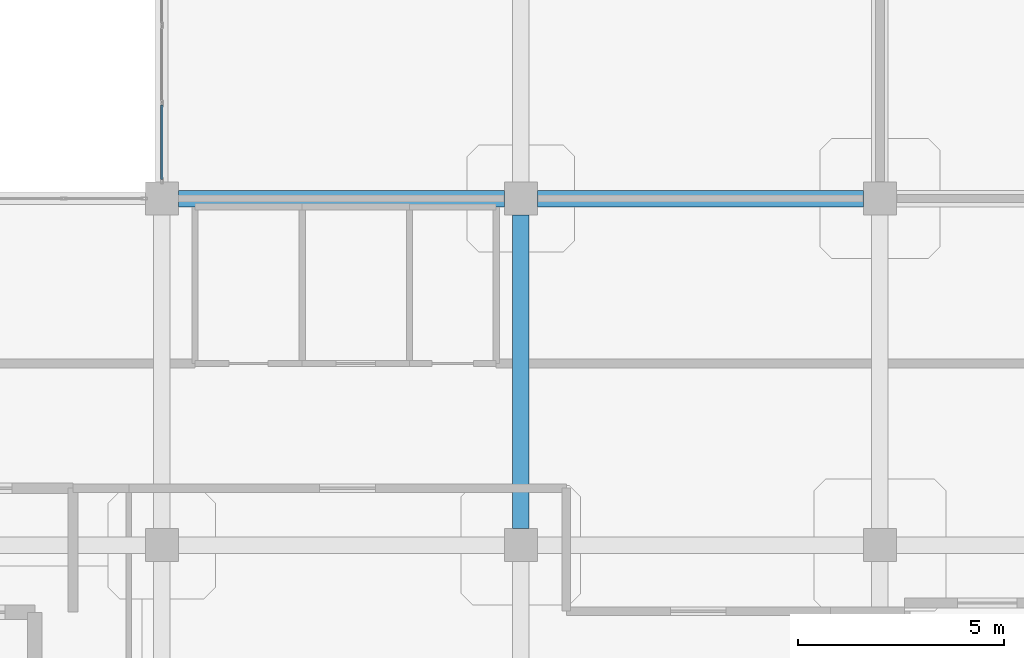
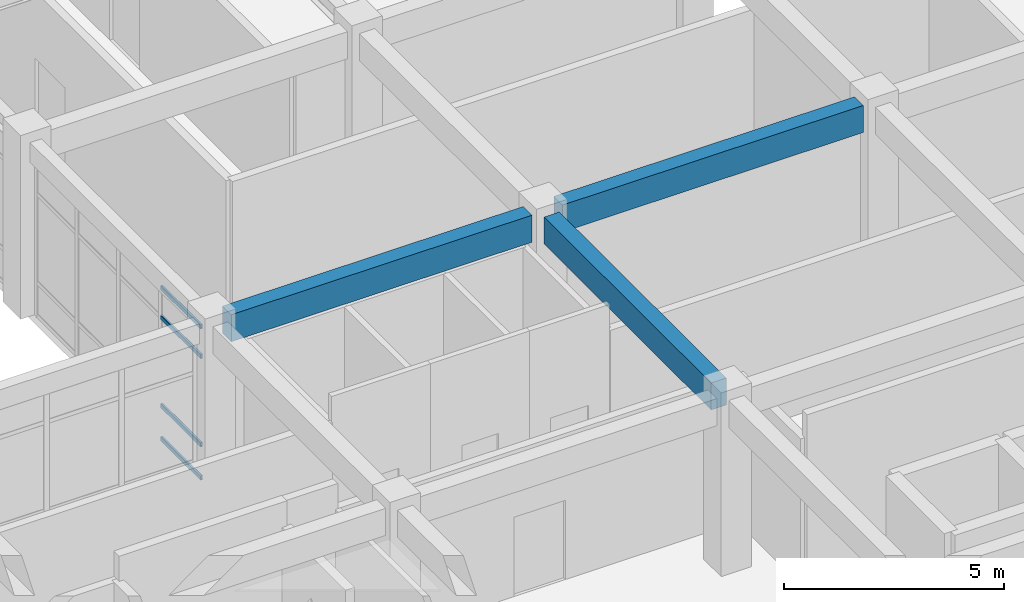
# One storey, part 21 of 96: 4 members, 3 beams, 1 element without a shape of its own.
"""IFC4 building model written with IfcOpenShell, lengths in metres."""

from ifc_helpers import new_model, si_unit, derived_unit, direction, frame, origin, origin_2d, place, context, subcontext, project, spatial, rectangle, hollow_rectangle, extrude, material, layer, layer_set, material_profile, profile_set, type_object, element, aggregate, save


model = new_model("IFC4")

# Units and contexts
model_context = context("Model", 3, precision=1e-05, world=origin(), true_north=direction((0.0, 1.0)))
body_context = subcontext(model_context, "Body", "Model", "MODEL_VIEW")
ifc_project = project(units=[si_unit("LENGTHUNIT", "METRE"), si_unit("AREAUNIT", "SQUARE_METRE"), si_unit("VOLUMEUNIT", "CUBIC_METRE"), si_unit("PLANEANGLEUNIT", "RADIAN"), si_unit("MASSUNIT", "GRAM", prefix="KILO"), derived_unit("THERMALTRANSMITTANCEUNIT", [(si_unit("MASSUNIT", "GRAM", prefix="KILO"), 1), (si_unit("TIMEUNIT", "SECOND"), -3), (si_unit("THERMODYNAMICTEMPERATUREUNIT", "KELVIN"), -1)])], contexts=[model_context])

# Site, building, storey
site_placement = place(None, origin())
site = spatial("IfcSite", under=ifc_project, at=site_placement, CompositionType="ELEMENT")
building_placement = place(site_placement, origin())
building = spatial("IfcBuilding", under=site, at=building_placement, Name="Qinzheling Arcade Emporium", CompositionType="ELEMENT")
storey_placement = place(building_placement, frame((0.0, 0.0, 21.60009765625)))
storey = spatial("IfcBuildingStorey", under=building, at=storey_placement, Name="L05", CompositionType="ELEMENT", Elevation=21.60009765625)

# Curtain wall, members
ifc_material_1 = material(Name="Anodised aluminium and solar-control double glazing", Category="aluminium")
ifc_layer = layer(ifc_material_1, 0.159912109375, Name="Anodised aluminium and solar-control double glazing", Category="aluminium")
ifc_layer_set = layer_set([ifc_layer], Name="Anodised aluminium and solar-control double glazing")
curtain_wall_type = type_object("IfcCurtainWallType", Name="Atrium Clerestory Curtain Wall", PredefinedType="NOTDEFINED", material=ifc_layer_set)
curtain_wall_placement = place(storey_placement, origin())
curtain_wall = element("IfcCurtainWall", 1, at=curtain_wall_placement, inside=storey, type_object=curtain_wall_type, Name="Curtain Wall CW-L05-316", PredefinedType="NOTDEFINED")
ifc_material_2 = material(Name="Anodised aluminium 6063-T6", Category="aluminium")
ifc_material_profile_1 = material_profile(ifc_material_2, hollow_rectangle(XDim=0.06005859375, YDim=0.1201171875, WallThickness=0.00390625, InnerFilletRadius=0.00390625, OuterFilletRadius=0.008056640625, at=origin_2d()), Name="RHS 120x60x4", Category="aluminium")
ifc_profile_set_1 = profile_set([ifc_material_profile_1], Name="Anodised aluminium 6063-T6")
member_type = type_object("IfcMemberType", Name="Curtain Wall Transom RHS120x60", PredefinedType="USERDEFINED", material=ifc_profile_set_1)
member_1_placement = place(storey_placement, frame((34.800048828125, 42.4619140625, 0.02978515625), z_axis=(0.0, 1.0, 0.0), x_axis=(-1.0, 0.0, 0.0)))
member_1 = element("IfcMember", 2, at=member_1_placement, type_object=member_type, Name="CW03 transom 1.1", ObjectType="TRANSOM", PredefinedType="USERDEFINED", context=body_context, shape_type="SweptSolid", body=[
    extrude(hollow_rectangle(XDim=0.06005859375, YDim=0.1201171875, WallThickness=0.00390625, InnerFilletRadius=0.00390625, OuterFilletRadius=0.008056640625, at=origin_2d()), origin(), (0.0, 0.0, 1.0), 1.80908203125),
])
member_2_placement = place(storey_placement, frame((34.800048828125, 42.4619140625, 0.949951171875), z_axis=(0.0, 1.0, 0.0), x_axis=(-1.0, 0.0, 0.0)))
member_2 = element("IfcMember", 3, at=member_2_placement, type_object=member_type, Name="CW03 transom 1.2", ObjectType="TRANSOM", PredefinedType="USERDEFINED", context=body_context, shape_type="SweptSolid", body=[
    extrude(hollow_rectangle(XDim=0.06005859375, YDim=0.1201171875, WallThickness=0.00390625, InnerFilletRadius=0.00390625, OuterFilletRadius=0.008056640625, at=origin_2d()), origin(), (0.0, 0.0, 1.0), 1.80908203125),
])
member_3_placement = place(storey_placement, frame((34.800048828125, 42.4619140625, 3.40478515625), z_axis=(0.0, 1.0, 0.0), x_axis=(-1.0, 0.0, 0.0)))
member_3 = element("IfcMember", 4, at=member_3_placement, type_object=member_type, Name="CW03 transom 1.3", ObjectType="TRANSOM", PredefinedType="USERDEFINED", context=body_context, shape_type="SweptSolid", body=[
    extrude(hollow_rectangle(XDim=0.06005859375, YDim=0.1201171875, WallThickness=0.00390625, InnerFilletRadius=0.00390625, OuterFilletRadius=0.008056640625, at=origin_2d()), origin(), (0.0, 0.0, 1.0), 1.80908203125),
])
member_4_placement = place(storey_placement, frame((34.800048828125, 42.4619140625, 4.224853515625), z_axis=(0.0, 1.0, 0.0), x_axis=(-1.0, 0.0, 0.0)))
member_4 = element("IfcMember", 5, at=member_4_placement, type_object=member_type, Name="CW03 transom 1.4", ObjectType="TRANSOM", PredefinedType="USERDEFINED", context=body_context, shape_type="SweptSolid", body=[
    extrude(hollow_rectangle(XDim=0.06005859375, YDim=0.1201171875, WallThickness=0.00390625, InnerFilletRadius=0.00390625, OuterFilletRadius=0.008056640625, at=origin_2d()), origin(), (0.0, 0.0, 1.0), 1.80908203125),
])
aggregate(curtain_wall, [member_1, member_2, member_3, member_4])

# Beams
ifc_material_3 = material(Name="Concrete C40", Category="concrete")
ifc_material_profile_2 = material_profile(ifc_material_3, rectangle(XDim=0.39990234375, YDim=0.75, at=origin_2d()), Name="RC 400x750", Category="concrete")
ifc_profile_set_2 = profile_set([ifc_material_profile_2], Name="Concrete C40")
beam_type = type_object("IfcBeamType", Name="RC Interior Tie Beam 400x750 C40", PredefinedType="BEAM", material=ifc_profile_set_2)
for number, where, z_axis, x_axis, name in (
    (6, (35.199951171875, 42.0, 4.44482421875), (1.0, 0.0, 0.0), (0.0, 1.0, 0.0), "Beam BM-L05-X-F-5"),
    (7, (43.89990234375, 42.0, 4.44482421875), (1.0, 0.0, 0.0), (0.0, 1.0, 0.0), "Beam BM-L05-X-F-6"),
):
    element("IfcBeam", number, at=place(storey_placement, frame(where, z_axis=z_axis, x_axis=x_axis)), inside=storey, type_object=beam_type, Name=name, PredefinedType="BEAM", context=body_context, shape_type="SweptSolid", body=[
        extrude(rectangle(XDim=0.39990234375, YDim=0.75, at=origin_2d()), origin(), (0.0, 0.0, 1.0), 7.900146484375),
    ])
beam_placement = place(storey_placement, frame((43.5, 34.0, 4.44482421875), z_axis=(0.0, 1.0, 0.0), x_axis=(-1.0, 0.0, 0.0)))
element("IfcBeam", 8, at=beam_placement, inside=storey, type_object=beam_type, Name="Beam BM-L05-Y-6-E", PredefinedType="BEAM", context=body_context, shape_type="SweptSolid", body=[
    extrude(rectangle(XDim=0.39990234375, YDim=0.75, at=origin_2d()), origin(), (0.0, 0.0, 1.0), 7.60009765625),
])

save(model, "model.ifc")
